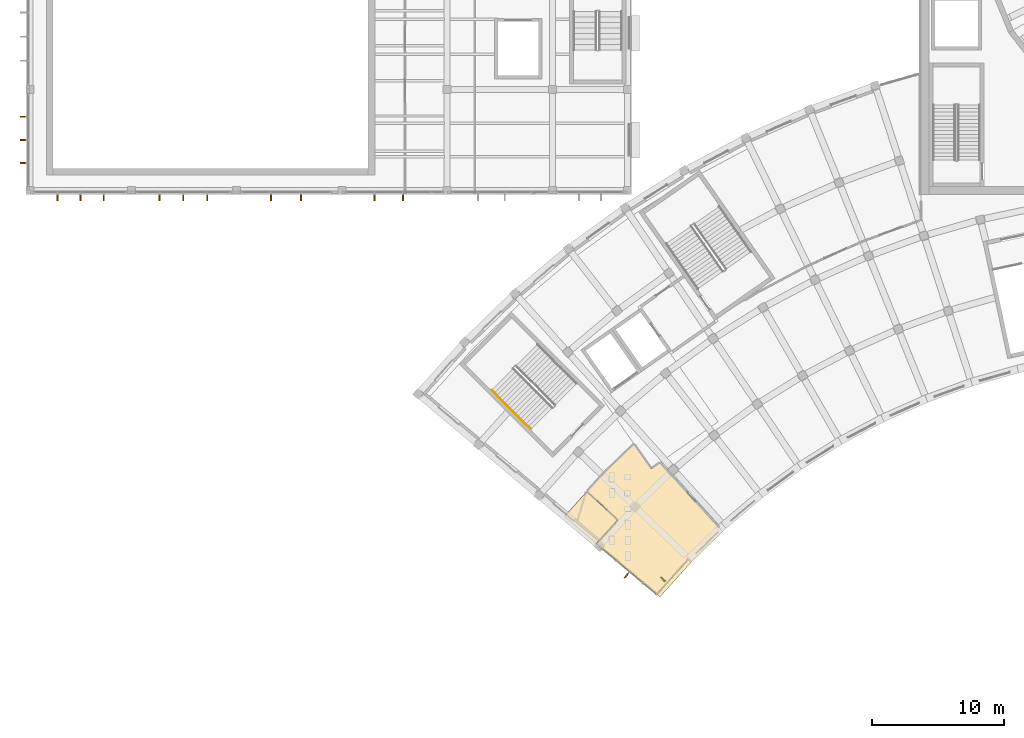
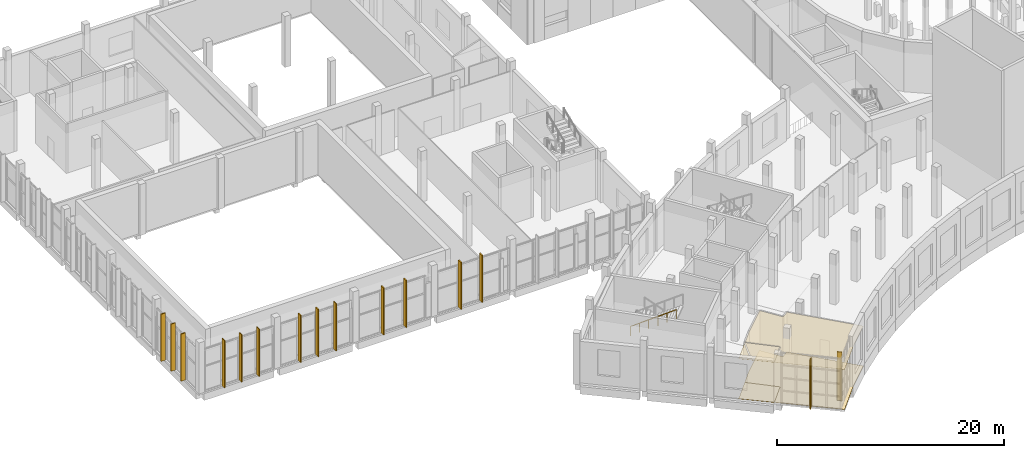
# One storey, part 56 of 87: 15 shading devices, 4 coverings, 1 railing.
"""IFC4 building model written with IfcOpenShell, lengths in metres."""

import ifcopenshell
import ifcopenshell.guid

model = None  # the IFC model being written
_history = None  # IfcOwnerHistory: only IFC2X3 demands one
_inside = {}  # id of a spatial element -> (the spatial element, [elements in it])
_under = {}  # id of a project, library or spatial element -> (it, [spatial elements below it])
_declared = {}  # id of a project -> (the project, [libraries it declares])
_typed = {}  # id of a type object -> (the type object, [elements of that type])
_made_of = {}  # id of a material, layer set ... -> (it, [elements and type objects made of it])


def new_model(schema):
    """Start an empty IFC model of exactly this schema.

    Asked for "IFC4X3", IfcOpenShell would pick the latest addendum, in which some entities
    have other attributes; the version numbers below select the first issue.
    IFC2X3 requires an IfcOwnerHistory on every rooted entity: one is made here for all.
    """
    global model, _history
    if schema == "IFC4X3":
        model = ifcopenshell.file(schema_version=(4, 3, 0, 0))
    else:
        model = ifcopenshell.file(schema=schema)
    _inside.clear()
    _under.clear()
    _declared.clear()
    _typed.clear()
    _made_of.clear()
    _history = None
    if model.schema == "IFC2X3":
        org = make("IfcOrganization", Name="unknown")
        user = make(
            "IfcPersonAndOrganization",
            ThePerson=make("IfcPerson", FamilyName="unknown"),
            TheOrganization=org,
        )
        app = make(
            "IfcApplication",
            ApplicationDeveloper=org,
            Version="unknown",
            ApplicationFullName="unknown",
            ApplicationIdentifier="unknown",
        )
        _history = make(
            "IfcOwnerHistory",
            OwningUser=user,
            OwningApplication=app,
            ChangeAction="ADDED",
            CreationDate=0,
        )
    return model


def make(cls, **values):
    """One entity of the class cls with the attributes given. An attribute that is None is left unset."""
    return model.create_entity(
        cls, **{name: value for name, value in values.items() if value is not None}
    )


def rooted(cls, **values):
    """An entity with a GlobalId (a new one), such as an element, a storey or a relation."""
    return make(cls, GlobalId=ifcopenshell.guid.new(), OwnerHistory=_history, **values)


def si_unit(unit_type, name, prefix=None):
    """IfcSIUnit, for example si_unit("LENGTHUNIT", "METRE", prefix="MILLI")."""
    return make("IfcSIUnit", UnitType=unit_type, Prefix=prefix, Name=name)


def assignment(units):
    """IfcUnitAssignment: the units of a project."""
    return None if units is None else make("IfcUnitAssignment", Units=units)


def point(xyz):
    """IfcCartesianPoint."""
    return None if xyz is None else make("IfcCartesianPoint", Coordinates=xyz)


def direction(xyz):
    """IfcDirection."""
    return None if xyz is None else make("IfcDirection", DirectionRatios=xyz)


def frame(location, z_axis=None, x_axis=None):
    """IfcAxis2Placement3D, a coordinate frame: its origin and axes. An axis left out is left unset."""
    return make(
        "IfcAxis2Placement3D",
        Location=point(location),
        Axis=direction(z_axis),
        RefDirection=direction(x_axis),
    )


def frame_2d(location, x_axis=None):
    """IfcAxis2Placement2D, a coordinate frame in the plane: its origin and x axis."""
    return make(
        "IfcAxis2Placement2D", Location=point(location), RefDirection=direction(x_axis)
    )


def origin():
    """The frame at (0, 0, 0) with its axes left unset."""
    return frame((0.0, 0.0, 0.0))


def origin_2d():
    """The frame at (0, 0) in the plane with its x axis left unset."""
    return frame_2d((0.0, 0.0))


def place(relative_to, where):
    """IfcLocalPlacement: puts the frame where relative to a parent placement (None: the world)."""
    return make(
        "IfcLocalPlacement", PlacementRelTo=relative_to, RelativePlacement=where
    )


def context(
    kind, dimensions, precision=None, world=None, true_north=None, identifier=None
):
    """IfcGeometricRepresentationContext, for example the 3D "Model" context."""
    return make(
        "IfcGeometricRepresentationContext",
        ContextIdentifier=identifier,
        ContextType=kind,
        CoordinateSpaceDimension=dimensions,
        Precision=precision,
        WorldCoordinateSystem=world,
        TrueNorth=true_north,
    )


def subcontext(parent, identifier, kind, view, scale=None):
    """IfcGeometricRepresentationSubContext, for example "Body" below "Model"."""
    return make(
        "IfcGeometricRepresentationSubContext",
        ContextIdentifier=identifier,
        ContextType=kind,
        ParentContext=parent,
        TargetScale=scale,
        TargetView=view,
    )


def project(units=None, contexts=None):
    """IfcProject with its units and contexts."""
    return rooted(
        "IfcProject",
        Name="project",
        RepresentationContexts=contexts,
        UnitsInContext=assignment(units),
    )


def spatial(cls, under=None, at=None, **own):
    """A site, building, storey or space (cls), placed at a placement, below another one or the project."""
    s = rooted(cls, ObjectPlacement=at, **own)
    if under is not None:
        _under.setdefault(under.id(), (under, []))[1].append(s)
    return s


def polyline(points):
    """IfcPolyline through the points."""
    return make("IfcPolyline", Points=[point(p) for p in points])


def profile(cls, at=None, kind="AREA", **sizes):
    """A parametric profile (cls). Its sizes go by their IFC names, for example OverallWidth=200.0."""
    return make(cls, ProfileType=kind, Position=at, **sizes)


def rectangle(**sizes):
    """IfcRectangleProfileDef."""
    return profile("IfcRectangleProfileDef", **sizes)


def circle(**sizes):
    """IfcCircleProfileDef."""
    return profile("IfcCircleProfileDef", **sizes)


def outline(outer, holes=None, kind="AREA"):
    """IfcArbitraryClosedProfileDef: a profile drawn as a closed curve; with holes, ...WithVoids."""
    if holes is None:
        return make("IfcArbitraryClosedProfileDef", ProfileType=kind, OuterCurve=outer)
    return make(
        "IfcArbitraryProfileDefWithVoids",
        ProfileType=kind,
        OuterCurve=outer,
        InnerCurves=holes,
    )


def extrude(swept, where, along, depth):
    """IfcExtrudedAreaSolid: the profile swept, set in the frame where, extruded along a direction by depth."""
    return make(
        "IfcExtrudedAreaSolid",
        SweptArea=swept,
        Position=where,
        ExtrudedDirection=direction(along),
        Depth=depth,
    )


def shape(context_of_items, identifier, shape_type, items):
    """IfcShapeRepresentation: the items that make up one representation, for example the "Body"."""
    return make(
        "IfcShapeRepresentation",
        ContextOfItems=context_of_items,
        RepresentationIdentifier=identifier,
        RepresentationType=shape_type,
        Items=items,
    )


def material(Name=None, Category=None):
    """IfcMaterial."""
    return make("IfcMaterial", Name=Name, Category=Category)


def layer(
    of_material, thickness, ventilated=None, Name=None, Category=None, Priority=None
):
    """IfcMaterialLayer: one layer of a wall or slab, of a material (None: an air gap)."""
    return make(
        "IfcMaterialLayer",
        Material=of_material,
        LayerThickness=thickness,
        IsVentilated=ventilated,
        Name=Name,
        Category=Category,
        Priority=Priority,
    )


def layer_set(layers, Name=None):
    """IfcMaterialLayerSet."""
    return make("IfcMaterialLayerSet", MaterialLayers=layers, LayerSetName=Name)


def made_of(thing, what):
    """Note that an element or type object is made of a material, layer set ...; save() writes the relation."""
    if what is not None:
        _made_of.setdefault(what.id(), (what, []))[1].append(thing)
    return thing


def type_object(cls, material=None, **own):
    """A type object (cls), such as IfcWallType, which elements share."""
    return made_of(rooted(cls, **own), material)


def element(
    cls,
    number,
    at=None,
    inside=None,
    cuts=None,
    type_object=None,
    material=None,
    context=None,
    identifier="Body",
    shape_type=None,
    held_by="IfcProductDefinitionShape",
    body=None,
    shapes=None,
    **own,
):
    """One element of the class cls, such as IfcWall. Its Tag is "e" and its number.

    at: its placement. inside: the storey or other place that contains it. cuts: it is an
    opening in that element (IfcRelVoidsElement). A single representation is given by context,
    identifier, shape_type and body (its items); several are given by shapes. held_by: the class
    of the entity that holds the representations. save() writes the other relations.
    """
    e = rooted(cls, Tag="e%d" % number, ObjectPlacement=at, **own)
    if body is not None:
        shapes = [shape(context, identifier, shape_type, body)]
    if shapes is not None:
        e.Representation = make(held_by, Representations=shapes)
    if inside is not None:
        _inside.setdefault(inside.id(), (inside, []))[1].append(e)
    if cuts is not None:
        rooted(
            "IfcRelVoidsElement", RelatingBuildingElement=cuts, RelatedOpeningElement=e
        )
    if type_object is not None:
        _typed.setdefault(type_object.id(), (type_object, []))[1].append(e)
    return made_of(e, material)


def aggregate(whole, parts):
    """IfcRelAggregates: a whole, such as a stair, and the parts it consists of."""
    return rooted("IfcRelAggregates", RelatingObject=whole, RelatedObjects=parts)


def save(model, path):
    """Write the relations noted so far, then the file.

    IfcRelAggregates (storeys below a building ...), IfcRelContainedInSpatialStructure (elements
    in a storey), IfcRelDefinesByType, IfcRelAssociatesMaterial and IfcRelDeclares: one each for
    every whole, place, type object, material and project.
    """
    for whole, parts in _under.values():
        aggregate(whole, parts)
    for where, things in _inside.values():
        rooted(
            "IfcRelContainedInSpatialStructure",
            RelatedElements=things,
            RelatingStructure=where,
        )
    for kind, things in _typed.values():
        rooted("IfcRelDefinesByType", RelatedObjects=things, RelatingType=kind)
    for what, things in _made_of.values():
        rooted("IfcRelAssociatesMaterial", RelatedObjects=things, RelatingMaterial=what)
    for by, libraries in _declared.values():
        rooted("IfcRelDeclares", RelatingContext=by, RelatedDefinitions=libraries)
    model.write(path)


model = new_model("IFC4")

# Units and contexts
model_context = context("Model", 3, precision=1e-05, world=origin(), true_north=direction((0.0, 1.0)))
body_context = subcontext(model_context, "Body", "Model", "MODEL_VIEW")
ifc_project = project(units=[si_unit("LENGTHUNIT", "METRE"), si_unit("AREAUNIT", "SQUARE_METRE"), si_unit("VOLUMEUNIT", "CUBIC_METRE"), si_unit("PLANEANGLEUNIT", "RADIAN"), si_unit("MASSUNIT", "GRAM", prefix="KILO")], contexts=[model_context])

# Site, building, storey
site_placement = place(None, origin())
site = spatial("IfcSite", under=ifc_project, at=site_placement, CompositionType="ELEMENT")
building_placement = place(site_placement, origin())
building = spatial("IfcBuilding", under=site, at=building_placement, Name="Lunette Opera House", CompositionType="ELEMENT")
storey_placement = place(building_placement, frame((0.0, 0.0, 11.5)))
storey = spatial("IfcBuildingStorey", under=building, at=storey_placement, Name="L02", CompositionType="ELEMENT", Elevation=11.5)

# Shading devices
ifc_material_1 = material(Name="Powder-coated aluminium", Category="aluminium")
shading_device_type = type_object("IfcShadingDeviceType", Name="SOLAR FIN 100 X 450", PredefinedType="USERDEFINED", material=ifc_material_1)
for number, where, z_axis, x_axis, name in (
    (1, (7.76708984375, 69.909912109375, 0.115478515625), (0.0, 0.0, 1.0), (-1.0, 0.0, 0.0), "Solar fin RW-X2034 1"),
    (2, (7.76708984375, 68.14990234375, 0.115478515625), (0.0, 0.0, 1.0), (-1.0, 0.0, 0.0), "Solar fin RW-X2034 2"),
    (3, (7.76708984375, 66.389892578125, 0.115478515625), (0.0, 0.0, 1.0), (-1.0, 0.0, 0.0), "Solar fin RW-X2034 3"),
    (4, (10.389892578125, 63.76806640625, 0.115478515625), (0.0, 0.0, 1.0), (0.0, -1.0, 0.0), "Solar fin RW-X2035 1"),
    (5, (12.14990234375, 63.76806640625, 0.115478515625), (0.0, 0.0, 1.0), (0.0, -1.0, 0.0), "Solar fin RW-X2035 2"),
    (6, (13.909912109375, 63.76806640625, 0.115478515625), (0.0, 0.0, 1.0), (0.0, -1.0, 0.0), "Solar fin RW-X2035 3"),
    (7, (18.14208984375, 63.76806640625, 0.115478515625), (0.0, 0.0, 1.0), (0.0, -1.0, 0.0), "Solar fin RW-X2036 1"),
    (8, (19.952880859375, 63.76806640625, 0.115478515625), (0.0, 0.0, 1.0), (0.0, -1.0, 0.0), "Solar fin RW-X2036 2"),
    (9, (21.764892578125, 63.76806640625, 0.115478515625), (0.0, 0.0, 1.0), (0.0, -1.0, 0.0), "Solar fin RW-X2036 3"),
    (10, (26.614013671875, 63.76806640625, 0.115478515625), (0.0, 0.0, 1.0), (0.0, -1.0, 0.0), "Solar fin RW-X2037 1"),
    (11, (28.89892578125, 63.76806640625, 0.115478515625), (0.0, 0.0, 1.0), (0.0, -1.0, 0.0), "Solar fin RW-X2037 2"),
    (12, (34.48291015625, 63.76806640625, 0.115478515625), (0.0, 0.0, 1.0), (0.0, -1.0, 0.0), "Solar fin RW-X2038 1"),
    (13, (36.635009765625, 63.76806640625, 0.115478515625), (0.0, 0.0, 1.0), (0.0, -1.0, 0.0), "Solar fin RW-X2038 2"),
):
    element("IfcShadingDevice", number, at=place(storey_placement, frame(where, z_axis=z_axis, x_axis=x_axis)), inside=storey, type_object=shading_device_type, Name=name, ObjectType="SOLAR FIN", PredefinedType="USERDEFINED", context=body_context, shape_type="SweptSolid", body=[
        extrude(rectangle(XDim=0.449951171875, YDim=0.10009765625, at=origin_2d()), origin(), (0.0, 0.0, 1.0), 5.0849609375),
    ])
for number, where, z_axis, x_axis, name in (
    (14, (56.4140625, 34.757080078125, 0.115234375), (0.0, 0.0, 1.0), (-0.74421712619, 0.667937773363, 0.0), "Solar fin FC-X2165 2"),
    (15, (53.60791015625, 35.04296875, 0.115234375), (0.0, 0.0, 1.0), (-0.642839751189, -0.76600068818, 0.0), "Solar fin FC-X2166 2"),
):
    element("IfcShadingDevice", number, at=place(storey_placement, frame(where, z_axis=z_axis, x_axis=x_axis)), inside=storey, type_object=shading_device_type, Name=name, ObjectType="SOLAR FIN", PredefinedType="USERDEFINED", context=body_context, shape_type="SweptSolid", body=[
        extrude(rectangle(XDim=0.449951171875, YDim=0.10009765625, at=origin_2d()), origin(), (0.0, 0.0, 1.0), 5.235107421875),
    ])

# Railing
ifc_material_2 = material(Name="Steel S355", Category="steel")
railing_type = type_object("IfcRailingType", Name="STAIR HANDRAIL 1000", PredefinedType="HANDRAIL", material=ifc_material_2)
railing_placement = place(storey_placement, frame((43.391357421875, 49.1435546875, 2.921875)))
element("IfcRailing", 16, at=railing_placement, inside=storey, type_object=railing_type, Name="L02 ST1 stair handrail 2", PredefinedType="HANDRAIL", context=body_context, shape_type="SweptSolid", body=[
    extrude(circle(Radius=0.02392578125, at=origin_2d()), frame((0.0, 0.0, 0.97607421875), z_axis=(0.602635448971, -0.602635448971, 0.523126209711), x_axis=(0.707106781187, 0.707106781187, 0.0)), (0.0, 0.0, 1.0), 4.92822265625),
    extrude(circle(Radius=0.02099609375, at=origin_2d()), origin(), (0.0, 0.0, 1.0), 0.951904296875),
    extrude(circle(Radius=0.02099609375, at=origin_2d()), frame((0.593994140625, -0.593994140625, 0.515625)), (0.0, 0.0, 1.0), 0.951904296875),
    extrude(circle(Radius=0.02099609375, at=origin_2d()), frame((1.18798828125, -1.18798828125, 1.03125)), (0.0, 0.0, 1.0), 0.951904296875),
    extrude(circle(Radius=0.02099609375, at=origin_2d()), frame((1.781982421875, -1.781982421875, 1.546875)), (0.0, 0.0, 1.0), 0.951904296875),
    extrude(circle(Radius=0.02099609375, at=origin_2d()), frame((2.3759765625, -2.3759765625, 2.0625)), (0.0, 0.0, 1.0), 0.951904296875),
    extrude(circle(Radius=0.02099609375, at=origin_2d()), frame((2.969970703125, -2.969970703125, 2.578125)), (0.0, 0.0, 1.0), 0.951904296875),
])

# Coverings
ifc_material_3 = material(Name="Mineral fibre board")
ifc_layer_1 = layer(ifc_material_3, 0.014892578125)
ifc_layer_set_1 = layer_set([ifc_layer_1], Name="Mineral fibre board")
covering_type_1 = type_object("IfcCoveringType", Name="SUSPENDED ACOUSTIC CEILING 15", PredefinedType="CEILING", material=ifc_layer_set_1)
covering_1_placement = place(storey_placement, frame((0.0, 0.0, 4.31494140625)))
element("IfcCovering", 17, at=covering_1_placement, inside=storey, type_object=covering_type_1, Name="Ceiling Accessible WC L02", PredefinedType="CEILING", context=body_context, shape_type="SweptSolid", body=[
    extrude(outline(polyline([(51.340087890625, 37.47509765625), (48.887939453125, 39.531005859375), (50.60693359375, 41.43994140625), (52.968994140625, 39.283935546875), (51.340087890625, 37.47509765625)])), origin(), (0.0, 0.0, 1.0), 0.01513671875),
])
covering_2_placement = place(storey_placement, frame((0.0, 0.0, 4.31494140625)))
element("IfcCovering", 18, at=covering_2_placement, inside=storey, type_object=covering_type_1, Name="Ceiling Public WC L02", PredefinedType="CEILING", context=body_context, shape_type="SweptSolid", body=[
    extrude(outline(polyline([(56.166015625, 33.425048828125), (52.8359375, 36.218994140625), (48.887939453125, 39.531005859375), (51.340087890625, 37.47509765625), (52.968994140625, 39.283935546875), (50.60693359375, 41.43994140625), (51.760986328125, 42.720947265625), (54.18896484375, 45.06689453125), (55.508056640625, 43.18408203125), (56.158935546875, 43.639892578125), (60.947021484375, 38.39501953125), (58.593994140625, 36.1220703125), (57.85498046875, 35.302001953125), (56.166015625, 33.425048828125)])), origin(), (0.0, 0.0, 1.0), 0.01513671875),
])
ifc_material_4 = material(Name="Ceramic tile")
ifc_layer_2 = layer(ifc_material_4, 0.02490234375)
ifc_layer_set_2 = layer_set([ifc_layer_2], Name="Ceramic tile")
covering_type_2 = type_object("IfcCoveringType", Name="TILED FLOOR FINISH 25", PredefinedType="FLOORING", material=ifc_layer_set_2)
covering_3_placement = place(storey_placement, origin())
element("IfcCovering", 19, at=covering_3_placement, inside=storey, type_object=covering_type_2, Name="Floor finish Accessible WC L02", PredefinedType="FLOORING", context=body_context, shape_type="SweptSolid", body=[
    extrude(outline(polyline([(51.340087890625, 37.47509765625), (48.887939453125, 39.531005859375), (50.60693359375, 41.43994140625), (52.968994140625, 39.283935546875), (51.340087890625, 37.47509765625)])), origin(), (0.0, 0.0, 1.0), 0.02490234375),
])
covering_4_placement = place(storey_placement, origin())
element("IfcCovering", 20, at=covering_4_placement, inside=storey, type_object=covering_type_2, Name="Floor finish Public WC L02", PredefinedType="FLOORING", context=body_context, shape_type="SweptSolid", body=[
    extrude(outline(polyline([(56.166015625, 33.425048828125), (52.8359375, 36.218994140625), (48.887939453125, 39.531005859375), (51.340087890625, 37.47509765625), (52.968994140625, 39.283935546875), (50.60693359375, 41.43994140625), (51.760986328125, 42.720947265625), (54.18896484375, 45.06689453125), (55.508056640625, 43.18408203125), (56.158935546875, 43.639892578125), (60.947021484375, 38.39501953125), (58.593994140625, 36.1220703125), (57.85498046875, 35.302001953125), (56.166015625, 33.425048828125)])), origin(), (0.0, 0.0, 1.0), 0.02490234375),
])

save(model, "model.ifc")
